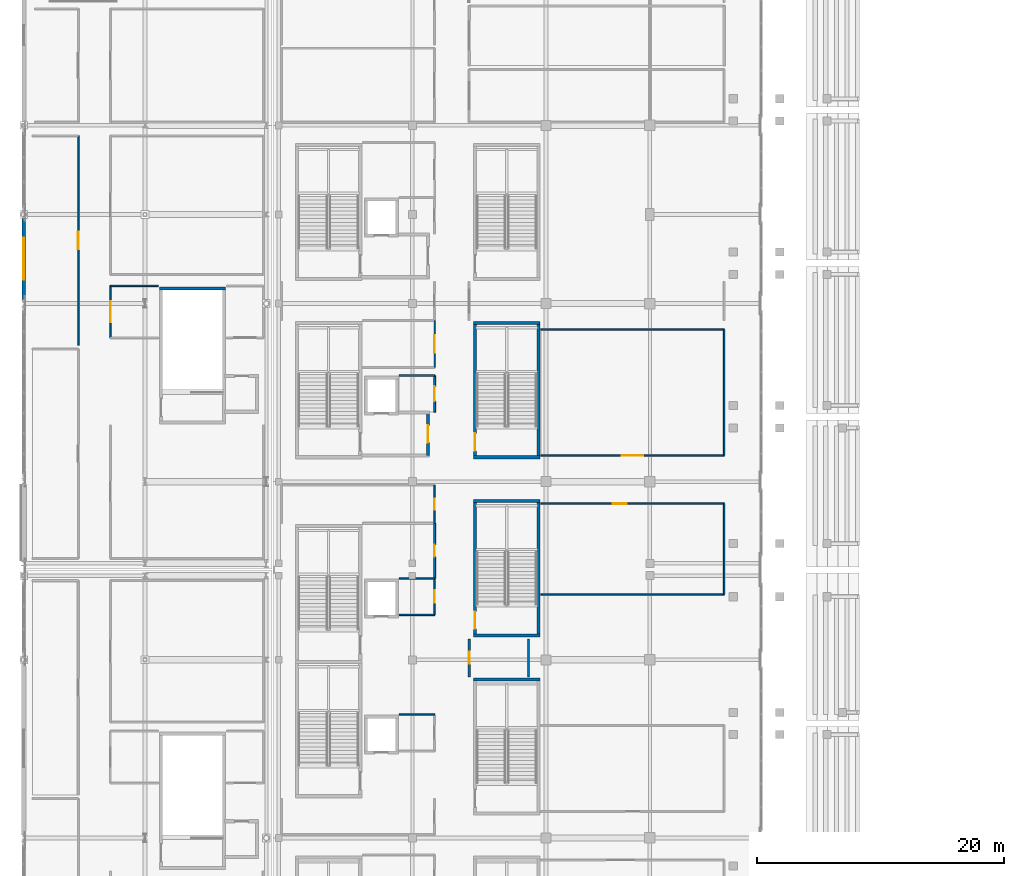
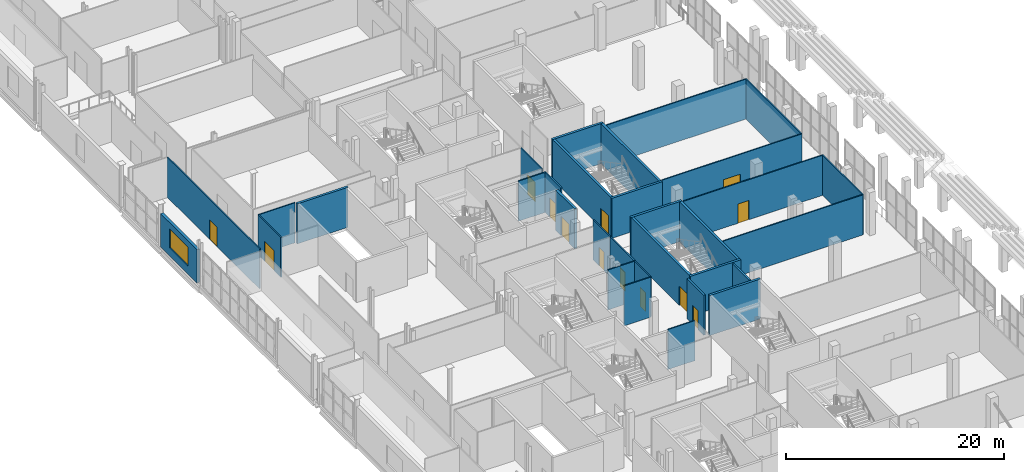
# One storey, part 93 of 142: 32 walls, 13 doors, 1 window, 14 openings.
"""IFC4 building model written with IfcOpenShell, lengths in metres."""

from ifc_helpers import new_model, si_unit, direction, frame, frame_2d, origin, place, context, subcontext, project, spatial, rectangle, extrude, material, layer, layer_set, type_object, element, fill, save


model = new_model("IFC4")

# Units and contexts
model_context = context("Model", 3, precision=1e-05, world=origin(), true_north=direction((0.0, 1.0)))
body_context = subcontext(model_context, "Body", "Model", "MODEL_VIEW")
ifc_project = project(units=[si_unit("LENGTHUNIT", "METRE"), si_unit("AREAUNIT", "SQUARE_METRE"), si_unit("VOLUMEUNIT", "CUBIC_METRE"), si_unit("PLANEANGLEUNIT", "RADIAN"), si_unit("MASSUNIT", "GRAM", prefix="KILO")], contexts=[model_context])

# Site, building, storey
site_placement = place(None, origin())
site = spatial("IfcSite", under=ifc_project, at=site_placement, CompositionType="ELEMENT")
building_placement = place(site_placement, origin())
building = spatial("IfcBuilding", under=site, at=building_placement, Name="Koshinbarg Plaza Stadium", CompositionType="ELEMENT")
storey_placement = place(building_placement, frame((0.0, 0.0, 10.199951171875)))
storey = spatial("IfcBuildingStorey", under=building, at=storey_placement, Name="L02", CompositionType="ELEMENT", Elevation=10.199951171875)

# Walls
ifc_material_1 = material(Name="Concrete C40/50", Category="concrete")
ifc_layer_1 = layer(ifc_material_1, 0.25)
ifc_layer_set_1 = layer_set([ifc_layer_1], Name="Concrete C40/50")
wall_type_1 = type_object("IfcWallType", Name="WL-CORE-250", PredefinedType="SHEAR", material=ifc_layer_set_1)
wall_1_placement = place(storey_placement, frame((20.320068359375, 98.72509765625, 0.0), z_axis=(0.0, 0.0, 1.0), x_axis=(-1.0, 0.0, 0.0)))
element("IfcWall", 1, at=wall_1_placement, inside=storey, type_object=wall_type_1, Name="L02 core stair shear wall C15-far IWL-L02-0339", PredefinedType="SHEAR", context=body_context, shape_type="SweptSolid", body=[
    extrude(rectangle(XDim=5.3701171875, YDim=0.25, at=frame_2d((2.68505859375, 0.0))), origin(), (0.0, 0.0, 1.0), 4.47998046875),
])
for number, where, z_axis, x_axis, name in (
    (2, (45.719970703125, 67.125, 0.0), (0.0, 0.0, 1.0), (-1.0, 0.0, 0.0), "L02 vomitory stair shear wall VX03-far IWL-L02-0395"),
    (3, (40.35009765625, 70.675048828125, 0.0), (0.0, 0.0, 1.0), (1.0, 0.0, 0.0), "L02 vomitory stair shear wall VX04-near IWL-L02-0410"),
    (4, (45.719970703125, 81.52490234375, 0.0), (0.0, 0.0, 1.0), (-1.0, 0.0, 0.0), "L02 vomitory stair shear wall VX04-far IWL-L02-0411"),
):
    element("IfcWall", number, at=place(storey_placement, frame(where, z_axis=z_axis, x_axis=x_axis)), inside=storey, type_object=wall_type_1, Name=name, PredefinedType="SHEAR", context=body_context, shape_type="SweptSolid", body=[
        extrude(rectangle(XDim=5.369873046875, YDim=0.25, at=frame_2d((2.68505859375, 0.0))), origin(), (0.0, 0.0, 1.0), 4.47998046875),
    ])

# Wall, opening, door
wall_2_placement = place(storey_placement, frame((40.47509765625, 70.675048828125, 0.0), z_axis=(0.0, 0.0, 1.0), x_axis=(0.0, 1.0, 0.0)))
wall_2 = element("IfcWall", 5, at=wall_2_placement, inside=storey, type_object=wall_type_1, Name="L02 vomitory stair shear wall VX04-left IWL-L02-0412", PredefinedType="SHEAR", context=body_context, shape_type="SweptSolid", body=[
    extrude(rectangle(XDim=10.849853515625, YDim=0.25, at=frame_2d((5.4248046875, 0.0))), origin(), (0.0, 0.0, 1.0), 4.47998046875),
])
opening_1_placement = place(wall_2_placement, frame((0.52001953125, 0.0, 0.0)))
opening_1 = element("IfcOpeningElement", 6, at=opening_1_placement, cuts=wall_2, Name="Opening D-0165", PredefinedType="OPENING", context=body_context, shape_type="SweptSolid", body=[
    extrude(rectangle(XDim=1.39990234375, YDim=2.14990234375, at=frame_2d((0.699951171875, 1.074951171875))), frame((0.0, 0.135009765625, 0.0), z_axis=(0.0, -1.0, 0.0), x_axis=(1.0, 0.0, 0.0)), (0.0, 0.0, 1.0), 0.27001953125),
])
ifc_material_2 = material(Name="Painted galvanized steel fire door", Category="steel")
door_type_1 = type_object("IfcDoorType", Name="DR-STAIR-1400", OperationType="NOTDEFINED", PredefinedType="DOOR", material=ifc_material_2)
door_1_placement = place(opening_1_placement, frame((1.39990234375, 0.0, 0.0), z_axis=(0.0, 0.0, 1.0), x_axis=(-1.0, 0.0, 0.0)))
door_1 = element("IfcDoor", 7, at=door_1_placement, inside=storey, type_object=door_type_1, Name="L02 vomitory exit stair door VX04", OperationType="SINGLE_SWING_LEFT", OverallHeight=2.14990234375, OverallWidth=1.39990234375, PredefinedType="DOOR", context=body_context, shape_type="SweptSolid", body=[
    extrude(rectangle(XDim=1.39990234375, YDim=2.14990234375, at=frame_2d((0.699951171875, 1.074951171875))), frame((0.0, 0.02490234375, 0.0), z_axis=(0.0, -1.0, 0.0), x_axis=(1.0, 0.0, 0.0)), (0.0, 0.0, 1.0), 0.050048828125),
])
fill(opening_1, door_1)

# Walls
wall_3_placement = place(storey_placement, frame((45.594970703125, 70.675048828125, 0.0), z_axis=(0.0, 0.0, 1.0), x_axis=(0.0, 1.0, 0.0)))
element("IfcWall", 8, at=wall_3_placement, inside=storey, type_object=wall_type_1, Name="L02 vomitory stair shear wall VX04-right IWL-L02-0413", PredefinedType="SHEAR", context=body_context, shape_type="SweptSolid", body=[
    extrude(rectangle(XDim=10.849853515625, YDim=0.25, at=frame_2d((5.4248046875, 0.0))), origin(), (0.0, 0.0, 1.0), 4.47998046875),
])
for number, where, z_axis, x_axis, name in (
    (9, (40.35009765625, 85.074951171875, 0.0), (0.0, 0.0, 1.0), (1.0, 0.0, 0.0), "L02 vomitory stair shear wall VX05-near IWL-L02-0426"),
    (10, (45.719970703125, 95.925048828125, 0.0), (0.0, 0.0, 1.0), (-1.0, 0.0, 0.0), "L02 vomitory stair shear wall VX05-far IWL-L02-0427"),
):
    element("IfcWall", number, at=place(storey_placement, frame(where, z_axis=z_axis, x_axis=x_axis)), inside=storey, type_object=wall_type_1, Name=name, PredefinedType="SHEAR", context=body_context, shape_type="SweptSolid", body=[
        extrude(rectangle(XDim=5.369873046875, YDim=0.25, at=frame_2d((2.68505859375, 0.0))), origin(), (0.0, 0.0, 1.0), 4.47998046875),
    ])

# Wall, opening, door
wall_4_placement = place(storey_placement, frame((40.47509765625, 85.074951171875, 0.0), z_axis=(0.0, 0.0, 1.0), x_axis=(0.0, 1.0, 0.0)))
wall_4 = element("IfcWall", 11, at=wall_4_placement, inside=storey, type_object=wall_type_1, Name="L02 vomitory stair shear wall VX05-left IWL-L02-0428", PredefinedType="SHEAR", context=body_context, shape_type="SweptSolid", body=[
    extrude(rectangle(XDim=10.85009765625, YDim=0.25, at=frame_2d((5.425048828125, 0.0))), origin(), (0.0, 0.0, 1.0), 4.47998046875),
])
opening_2_placement = place(wall_4_placement, frame((0.52001953125, 0.0, 0.0)))
opening_2 = element("IfcOpeningElement", 12, at=opening_2_placement, cuts=wall_4, Name="Opening D-0169", PredefinedType="OPENING", context=body_context, shape_type="SweptSolid", body=[
    extrude(rectangle(XDim=1.39990234375, YDim=2.14990234375, at=frame_2d((0.699951171875, 1.074951171875))), frame((0.0, 0.135009765625, 0.0), z_axis=(0.0, -1.0, 0.0), x_axis=(1.0, 0.0, 0.0)), (0.0, 0.0, 1.0), 0.27001953125),
])
door_2_placement = place(opening_2_placement, frame((1.39990234375, 0.0, 0.0), z_axis=(0.0, 0.0, 1.0), x_axis=(-1.0, 0.0, 0.0)))
door_2 = element("IfcDoor", 13, at=door_2_placement, inside=storey, type_object=door_type_1, Name="L02 vomitory exit stair door VX05", OperationType="SINGLE_SWING_RIGHT", OverallHeight=2.14990234375, OverallWidth=1.39990234375, PredefinedType="DOOR", context=body_context, shape_type="SweptSolid", body=[
    extrude(rectangle(XDim=1.39990234375, YDim=2.14990234375, at=frame_2d((0.699951171875, 1.074951171875))), frame((0.0, 0.02490234375, 0.0), z_axis=(0.0, -1.0, 0.0), x_axis=(1.0, 0.0, 0.0)), (0.0, 0.0, 1.0), 0.050048828125),
])
fill(opening_2, door_2)

# Wall
wall_5_placement = place(storey_placement, frame((45.594970703125, 85.074951171875, 0.0), z_axis=(0.0, 0.0, 1.0), x_axis=(0.0, 1.0, 0.0)))
element("IfcWall", 14, at=wall_5_placement, inside=storey, type_object=wall_type_1, Name="L02 vomitory stair shear wall VX05-right IWL-L02-0429", PredefinedType="SHEAR", context=body_context, shape_type="SweptSolid", body=[
    extrude(rectangle(XDim=10.85009765625, YDim=0.25, at=frame_2d((5.425048828125, 0.0))), origin(), (0.0, 0.0, 1.0), 4.47998046875),
])

# Wall, opening, door
wall_6_placement = place(storey_placement, frame((36.675048828125, 85.22509765625, 0.0), z_axis=(0.0, 0.0, 1.0), x_axis=(0.0, 1.0, 0.0)))
wall_6 = element("IfcWall", 15, at=wall_6_placement, inside=storey, type_object=wall_type_1, Name="L02 firefighting lobby wall C05-E IWL-L02-0782", PredefinedType="SHEAR", context=body_context, shape_type="SweptSolid", body=[
    extrude(rectangle(XDim=3.449951171875, YDim=0.25, at=frame_2d((1.72509765625, 0.0))), origin(), (0.0, 0.0, 1.0), 4.47998046875),
])
opening_3_placement = place(wall_6_placement, frame((1.02490234375, 0.0, 0.0)))
opening_3 = element("IfcOpeningElement", 16, at=opening_3_placement, cuts=wall_6, Name="Opening D-0262", PredefinedType="OPENING", context=body_context, shape_type="SweptSolid", body=[
    extrude(rectangle(XDim=1.39990234375, YDim=2.14990234375, at=frame_2d((0.699951171875, 1.074951171875))), frame((0.0, 0.135009765625, 0.0), z_axis=(0.0, -1.0, 0.0), x_axis=(1.0, 0.0, 0.0)), (0.0, 0.0, 1.0), 0.27001953125),
])
ifc_material_3 = material(Name="Smoke-sealed steel firefighting lobby door", Category="steel")
door_type_2 = type_object("IfcDoorType", Name="DR-FFLOB-1400", OperationType="NOTDEFINED", PredefinedType="DOOR", material=ifc_material_3)
door_3_placement = place(opening_3_placement, origin())
door_3 = element("IfcDoor", 17, at=door_3_placement, inside=storey, type_object=door_type_2, Name="L02 firefighting lobby fire door C05", OperationType="DOUBLE_DOOR_SINGLE_SWING", OverallHeight=2.14990234375, OverallWidth=1.39990234375, PredefinedType="DOOR", context=body_context, shape_type="SweptSolid", body=[
    extrude(rectangle(XDim=1.39990234375, YDim=2.14990234375, at=frame_2d((0.699951171875, 1.074951171875))), frame((0.0, 0.02490234375, 0.0), z_axis=(0.0, -1.0, 0.0), x_axis=(1.0, 0.0, 0.0)), (0.0, 0.0, 1.0), 0.050048828125),
])
fill(opening_3, door_3)

# Wall, opening, window
ifc_material_4 = material(Name="Off-white mineral plaster insulated wall", Category="masonry")
ifc_layer_2 = layer(ifc_material_4, 0.300048828125)
ifc_layer_set_2 = layer_set([ifc_layer_2], Name="Off-white mineral plaster insulated wall")
wall_type_2 = type_object("IfcWallType", Name="WL-EXT-300", PredefinedType="SOLIDWALL", material=ifc_layer_set_2)
wall_7_placement = place(storey_placement, frame((4.0, 97.794921875, 0.0), z_axis=(0.0, 0.0, 1.0), x_axis=(0.0, 1.0, 0.0)))
wall_7 = element("IfcWall", 18, at=wall_7_placement, inside=storey, type_object=wall_type_2, Name="L02 exterior envelope wall EWL-L02-0113", PredefinedType="SOLIDWALL", context=body_context, shape_type="SweptSolid", body=[
    extrude(rectangle(XDim=6.681640625, YDim=0.300048828125, at=frame_2d((3.3408203125, 0.0))), origin(), (0.0, 0.0, 1.0), 3.719970703125),
])
opening_4_placement = place(wall_7_placement, frame((1.640625, 0.0, 0.89990234375)))
opening_4 = element("IfcOpeningElement", 19, at=opening_4_placement, cuts=wall_7, Name="Opening WN18", PredefinedType="OPENING", context=body_context, shape_type="SweptSolid", body=[
    extrude(rectangle(XDim=3.39990234375, YDim=2.10009765625, at=frame_2d((1.699951171875, 1.050048828125))), frame((0.0, 0.159912109375, 0.0), z_axis=(0.0, -1.0, 0.0), x_axis=(1.0, 0.0, 0.0)), (0.0, 0.0, 1.0), 0.320068359375),
])
ifc_material_5 = material(Name="Solar-control double glazing in thermally broken aluminium frame", Category="aluminium")
window_type = type_object("IfcWindowType", Name="WN-FAC-18", PartitioningType="DOUBLE_PANEL_VERTICAL", PredefinedType="WINDOW", material=ifc_material_5)
window_placement = place(opening_4_placement, origin())
window = element("IfcWindow", 20, at=window_placement, inside=storey, type_object=window_type, Name="L02 facade window 0051", OverallHeight=2.10009765625, OverallWidth=3.39990234375, PartitioningType="SINGLE_PANEL", PredefinedType="WINDOW", context=body_context, shape_type="SweptSolid", body=[
    extrude(rectangle(XDim=3.39990234375, YDim=2.10009765625, at=frame_2d((1.699951171875, 1.050048828125))), frame((0.0, 0.030029296875, 0.0), z_axis=(0.0, -1.0, 0.0), x_axis=(1.0, 0.0, 0.0)), (0.0, 0.0, 1.0), 0.06005859375),
])
fill(opening_4, window)

# Wall
ifc_material_6 = material(Name="Gypsum board metal-stud acoustic partition")
ifc_layer_3 = layer(ifc_material_6, 0.1201171875)
ifc_layer_set_3 = layer_set([ifc_layer_3], Name="Gypsum board metal-stud acoustic partition")
wall_type_3 = type_object("IfcWallType", Name="WL-PART-120", PredefinedType="PARTITIONING", material=ifc_layer_set_3)
wall_8_placement = place(storey_placement, frame((37.199951171875, 64.280029296875, 0.0), z_axis=(0.0, 0.0, 1.0), x_axis=(-1.0, 0.0, 0.0)))
element("IfcWall", 21, at=wall_8_placement, inside=storey, type_object=wall_type_3, Name="L02 interior partition L02-67-north IWL-L02-1645", PredefinedType="PARTITIONING", context=body_context, shape_type="SweptSolid", body=[
    extrude(rectangle(XDim=2.869873046875, YDim=0.1201171875, at=frame_2d((1.43505859375, 0.0))), origin(), (0.0, 0.0, 1.0), 4.47998046875),
])

# Wall, opening, door
wall_9_placement = place(storey_placement, frame((37.199951171875, 79.72998046875, 0.0), z_axis=(0.0, 0.0, 1.0), x_axis=(0.0, 1.0, 0.0)))
wall_9 = element("IfcWall", 22, at=wall_9_placement, inside=storey, type_object=wall_type_3, Name="L02 interior partition L02-68-east IWL-L02-1646", PredefinedType="PARTITIONING", context=body_context, shape_type="SweptSolid", body=[
    extrude(rectangle(XDim=3.10009765625, YDim=0.1201171875, at=frame_2d((1.550048828125, 0.0))), origin(), (0.0, 0.0, 1.0), 4.47998046875),
])
opening_5_placement = place(wall_9_placement, frame((1.090087890625, 0.0, 0.0)))
opening_5 = element("IfcOpeningElement", 23, at=opening_5_placement, cuts=wall_9, Name="Opening D-0555", PredefinedType="OPENING", context=body_context, shape_type="SweptSolid", body=[
    extrude(rectangle(XDim=0.919921875, YDim=2.10009765625, at=frame_2d((0.4599609375, 1.050048828125))), frame((0.0, 0.070068359375, 0.0), z_axis=(0.0, -1.0, 0.0), x_axis=(1.0, 0.0, 0.0)), (0.0, 0.0, 1.0), 0.14013671875),
])
ifc_material_7 = material(Name="Solid-core oak veneer acoustic door")
door_type_3 = type_object("IfcDoorType", Name="DR-INT-0920x2100", OperationType="NOTDEFINED", PredefinedType="DOOR", material=ifc_material_7)
door_4_placement = place(opening_5_placement, origin())
door_4 = element("IfcDoor", 24, at=door_4_placement, inside=storey, type_object=door_type_3, Name="L02 Hospitality Catering Kitchen door D-0555", OperationType="SINGLE_SWING_LEFT", OverallHeight=2.10009765625, OverallWidth=0.919921875, PredefinedType="DOOR", context=body_context, shape_type="SweptSolid", body=[
    extrude(rectangle(XDim=0.919921875, YDim=2.10009765625, at=frame_2d((0.4599609375, 1.050048828125))), frame((0.0, 0.02490234375, 0.0), z_axis=(0.0, -1.0, 0.0), x_axis=(1.0, 0.0, 0.0)), (0.0, 0.0, 1.0), 0.050048828125),
])
fill(opening_5, door_4)

# Wall
wall_10_placement = place(storey_placement, frame((34.330078125, 72.330078125, 0.0), z_axis=(0.0, 0.0, 1.0), x_axis=(1.0, 0.0, 0.0)))
element("IfcWall", 25, at=wall_10_placement, inside=storey, type_object=wall_type_3, Name="L02 interior partition L02-70-south IWL-L02-1651", PredefinedType="PARTITIONING", context=body_context, shape_type="SweptSolid", body=[
    extrude(rectangle(XDim=2.869873046875, YDim=0.1201171875, at=frame_2d((1.43505859375, 0.0))), origin(), (0.0, 0.0, 1.0), 4.47998046875),
])

# Wall, opening, door
wall_11_placement = place(storey_placement, frame((37.199951171875, 72.330078125, 0.0), z_axis=(0.0, 0.0, 1.0), x_axis=(0.0, 1.0, 0.0)))
wall_11 = element("IfcWall", 26, at=wall_11_placement, inside=storey, type_object=wall_type_3, Name="L02 interior partition L02-70-east IWL-L02-1652", PredefinedType="PARTITIONING", context=body_context, shape_type="SweptSolid", body=[
    extrude(rectangle(XDim=2.949951171875, YDim=0.1201171875, at=frame_2d((1.47509765625, 0.0))), origin(), (0.0, 0.0, 1.0), 4.47998046875),
])
opening_6_placement = place(wall_11_placement, frame((0.97509765625, 0.0, 0.0)))
opening_6 = element("IfcOpeningElement", 27, at=opening_6_placement, cuts=wall_11, Name="Opening D-0557", PredefinedType="OPENING", context=body_context, shape_type="SweptSolid", body=[
    extrude(rectangle(XDim=1.0, YDim=2.10009765625, at=frame_2d((0.5, 1.050048828125))), frame((0.0, 0.070068359375, 0.0), z_axis=(0.0, -1.0, 0.0), x_axis=(1.0, 0.0, 0.0)), (0.0, 0.0, 1.0), 0.14013671875),
])
ifc_material_8 = material(Name="Solid-core laminate accessible WC door")
door_type_4 = type_object("IfcDoorType", Name="DR-INT-1000x2100", OperationType="NOTDEFINED", PredefinedType="DOOR", material=ifc_material_8)
door_5_placement = place(opening_6_placement, origin())
door_5 = element("IfcDoor", 28, at=door_5_placement, inside=storey, type_object=door_type_4, Name="L02 Presidential Club Lounge door D-0557", OperationType="SINGLE_SWING_LEFT", OverallHeight=2.10009765625, OverallWidth=1.0, PredefinedType="DOOR", context=body_context, shape_type="SweptSolid", body=[
    extrude(rectangle(XDim=1.0, YDim=2.10009765625, at=frame_2d((0.5, 1.050048828125))), frame((0.0, 0.02490234375, 0.0), z_axis=(0.0, -1.0, 0.0), x_axis=(1.0, 0.0, 0.0)), (0.0, 0.0, 1.0), 0.050048828125),
])
fill(opening_6, door_5)

# Walls
wall_12_placement = place(storey_placement, frame((37.199951171875, 75.280029296875, 0.0), z_axis=(0.0, 0.0, 1.0), x_axis=(-1.0, 0.0, 0.0)))
element("IfcWall", 29, at=wall_12_placement, inside=storey, type_object=wall_type_3, Name="L02 interior partition L02-70-north IWL-L02-1653", PredefinedType="PARTITIONING", context=body_context, shape_type="SweptSolid", body=[
    extrude(rectangle(XDim=2.869873046875, YDim=0.1201171875, at=frame_2d((1.43505859375, 0.0))), origin(), (0.0, 0.0, 1.0), 4.47998046875),
])
wall_13_placement = place(storey_placement, frame((45.800048828125, 73.99072265625, 0.0), z_axis=(0.0, 0.0, 1.0), x_axis=(1.0, 0.0, 0.0)))
element("IfcWall", 30, at=wall_13_placement, inside=storey, type_object=wall_type_3, Name="L02 interior partition L02-72-south IWL-L02-1657", PredefinedType="PARTITIONING", context=body_context, shape_type="SweptSolid", body=[
    extrude(rectangle(XDim=14.800048828125, YDim=0.1201171875, at=frame_2d((7.39990234375, 0.0))), origin(), (0.0, 0.0, 1.0), 4.47998046875),
])
wall_14_placement = place(storey_placement, frame((60.60009765625, 73.99072265625, 0.0), z_axis=(0.0, 0.0, 1.0), x_axis=(0.0, 1.0, 0.0)))
element("IfcWall", 31, at=wall_14_placement, inside=storey, type_object=wall_type_3, Name="L02 interior partition L02-72-east IWL-L02-1658", PredefinedType="PARTITIONING", context=body_context, shape_type="SweptSolid", body=[
    extrude(rectangle(XDim=7.329345703125, YDim=0.1201171875, at=frame_2d((3.66455078125, 0.0))), origin(), (0.0, 0.0, 1.0), 4.47998046875),
])

# Wall, opening, door
wall_15_placement = place(storey_placement, frame((60.60009765625, 81.320068359375, 0.0), z_axis=(0.0, 0.0, 1.0), x_axis=(-1.0, 0.0, 0.0)))
wall_15 = element("IfcWall", 32, at=wall_15_placement, inside=storey, type_object=wall_type_3, Name="L02 interior partition L02-72-north IWL-L02-1659", PredefinedType="PARTITIONING", context=body_context, shape_type="SweptSolid", body=[
    extrude(rectangle(XDim=14.800048828125, YDim=0.1201171875, at=frame_2d((7.39990234375, 0.0))), origin(), (0.0, 0.0, 1.0), 4.47998046875),
])
opening_7_placement = place(wall_15_placement, frame((7.87841796875, 0.0, 0.0)))
opening_7 = element("IfcOpeningElement", 33, at=opening_7_placement, cuts=wall_15, Name="Opening D-0559", PredefinedType="OPENING", context=body_context, shape_type="SweptSolid", body=[
    extrude(rectangle(XDim=1.1201171875, YDim=2.14990234375, at=frame_2d((0.56005859375, 1.074951171875))), frame((0.0, 0.070068359375, 0.0), z_axis=(0.0, -1.0, 0.0), x_axis=(1.0, 0.0, 0.0)), (0.0, 0.0, 1.0), 0.14013671875),
])
ifc_material_9 = material(Name="Acoustic timber broadcast studio door", Category="wood")
door_type_5 = type_object("IfcDoorType", Name="DR-INT-1120x2150", OperationType="NOTDEFINED", PredefinedType="DOOR", material=ifc_material_9)
door_6_placement = place(opening_7_placement, origin())
door_6 = element("IfcDoor", 34, at=door_6_placement, inside=storey, type_object=door_type_5, Name="L02 Presidential Club Lounge door D-0559", OperationType="SINGLE_SWING_LEFT", OverallHeight=2.14990234375, OverallWidth=1.1201171875, PredefinedType="DOOR", context=body_context, shape_type="SweptSolid", body=[
    extrude(rectangle(XDim=1.1201171875, YDim=2.14990234375, at=frame_2d((0.56005859375, 1.074951171875))), frame((0.0, 0.02490234375, 0.0), z_axis=(0.0, -1.0, 0.0), x_axis=(1.0, 0.0, 0.0)), (0.0, 0.0, 1.0), 0.050048828125),
])
fill(opening_7, door_6)

wall_16_placement = place(storey_placement, frame((37.199951171875, 92.323486328125, 0.0), z_axis=(0.0, 0.0, 1.0), x_axis=(0.0, 1.0, 0.0)))
wall_16 = element("IfcWall", 35, at=wall_16_placement, inside=storey, type_object=wall_type_3, Name="L02 interior partition L02-75-east IWL-L02-1665", PredefinedType="PARTITIONING", context=body_context, shape_type="SweptSolid", body=[
    extrude(rectangle(XDim=3.806396484375, YDim=0.1201171875, at=frame_2d((1.9033203125, 0.0))), origin(), (0.0, 0.0, 1.0), 4.47998046875),
])
opening_8_placement = place(wall_16_placement, frame((1.203125, 0.0, 0.0)))
opening_8 = element("IfcOpeningElement", 36, at=opening_8_placement, cuts=wall_16, Name="Opening D-0562", PredefinedType="OPENING", context=body_context, shape_type="SweptSolid", body=[
    extrude(rectangle(XDim=1.39990234375, YDim=2.199951171875, at=frame_2d((0.699951171875, 1.10009765625))), frame((0.0, 0.070068359375, 0.0), z_axis=(0.0, -1.0, 0.0), x_axis=(1.0, 0.0, 0.0)), (0.0, 0.0, 1.0), 0.14013671875),
])
ifc_material_10 = material(Name="Stainless-clad solid-core timber double fire door", Category="wood")
door_type_6 = type_object("IfcDoorType", Name="DR-INT-1400x2200", OperationType="NOTDEFINED", PredefinedType="DOOR", material=ifc_material_10)
door_7_placement = place(opening_8_placement, origin())
door_7 = element("IfcDoor", 37, at=door_7_placement, inside=storey, type_object=door_type_6, Name="L02 West Club Concourse door D-0562", OperationType="DOUBLE_DOOR_SINGLE_SWING", OverallHeight=2.199951171875, OverallWidth=1.39990234375, PredefinedType="DOOR", context=body_context, shape_type="SweptSolid", body=[
    extrude(rectangle(XDim=1.39990234375, YDim=2.199951171875, at=frame_2d((0.699951171875, 1.10009765625))), frame((0.0, 0.02490234375, 0.0), z_axis=(0.0, -1.0, 0.0), x_axis=(1.0, 0.0, 0.0)), (0.0, 0.0, 1.0), 0.050048828125),
])
fill(opening_8, door_7)

wall_17_placement = place(storey_placement, frame((45.800048828125, 85.22998046875, 0.0), z_axis=(0.0, 0.0, 1.0), x_axis=(1.0, 0.0, 0.0)))
wall_17 = element("IfcWall", 38, at=wall_17_placement, inside=storey, type_object=wall_type_3, Name="L02 interior partition L02-78-south IWL-L02-1671", PredefinedType="PARTITIONING", context=body_context, shape_type="SweptSolid", body=[
    extrude(rectangle(XDim=14.800048828125, YDim=0.1201171875, at=frame_2d((7.39990234375, 0.0))), origin(), (0.0, 0.0, 1.0), 4.47998046875),
])
opening_9_placement = place(wall_17_placement, frame((6.52001953125, 0.0, 0.0)))
opening_9 = element("IfcOpeningElement", 39, at=opening_9_placement, cuts=wall_17, Name="Opening D-0565", PredefinedType="OPENING", context=body_context, shape_type="SweptSolid", body=[
    extrude(rectangle(XDim=1.760009765625, YDim=2.25, at=frame_2d((0.8798828125, 1.125))), frame((0.0, 0.070068359375, 0.0), z_axis=(0.0, -1.0, 0.0), x_axis=(1.0, 0.0, 0.0)), (0.0, 0.0, 1.0), 0.14013671875),
])
ifc_material_11 = material(Name="Solid-core oak veneer double swing door")
door_type_7 = type_object("IfcDoorType", Name="DR-INT-1760x2250", OperationType="NOTDEFINED", PredefinedType="DOOR", material=ifc_material_11)
door_8_placement = place(opening_9_placement, origin())
door_8 = element("IfcDoor", 40, at=door_8_placement, inside=storey, type_object=door_type_7, Name="L02 Presidential Club Lounge door D-0565", OperationType="DOUBLE_DOOR_SINGLE_SWING", OverallHeight=2.25, OverallWidth=1.760009765625, PredefinedType="DOOR", context=body_context, shape_type="SweptSolid", body=[
    extrude(rectangle(XDim=1.760009765625, YDim=2.25, at=frame_2d((0.8798828125, 1.125))), frame((0.0, 0.02490234375, 0.0), z_axis=(0.0, -1.0, 0.0), x_axis=(1.0, 0.0, 0.0)), (0.0, 0.0, 1.0), 0.050048828125),
])
fill(opening_9, door_8)

# Walls
wall_18_placement = place(storey_placement, frame((60.60009765625, 85.22998046875, 0.0), z_axis=(0.0, 0.0, 1.0), x_axis=(0.0, 1.0, 0.0)))
element("IfcWall", 41, at=wall_18_placement, inside=storey, type_object=wall_type_3, Name="L02 interior partition L02-78-east IWL-L02-1672", PredefinedType="PARTITIONING", context=body_context, shape_type="SweptSolid", body=[
    extrude(rectangle(XDim=10.151123046875, YDim=0.1201171875, at=frame_2d((5.07568359375, 0.0))), origin(), (0.0, 0.0, 1.0), 4.47998046875),
])
wall_19_placement = place(storey_placement, frame((60.60009765625, 95.381103515625, 0.0), z_axis=(0.0, 0.0, 1.0), x_axis=(-1.0, 0.0, 0.0)))
element("IfcWall", 42, at=wall_19_placement, inside=storey, type_object=wall_type_3, Name="L02 interior partition L02-78-north IWL-L02-1673", PredefinedType="PARTITIONING", context=body_context, shape_type="SweptSolid", body=[
    extrude(rectangle(XDim=14.800048828125, YDim=0.1201171875, at=frame_2d((7.39990234375, 0.0))), origin(), (0.0, 0.0, 1.0), 4.47998046875),
])

# Wall, opening, door
wall_20_placement = place(storey_placement, frame((8.39990234375, 94.12255859375, 0.0), z_axis=(0.0, 0.0, 1.0), x_axis=(0.0, 1.0, 0.0)))
wall_20 = element("IfcWall", 43, at=wall_20_placement, inside=storey, type_object=wall_type_3, Name="L02 interior partition L02-143-east IWL-L02-1852", PredefinedType="PARTITIONING", context=body_context, shape_type="SweptSolid", body=[
    extrude(rectangle(XDim=16.927490234375, YDim=0.1201171875, at=frame_2d((8.4638671875, 0.0))), origin(), (0.0, 0.0, 1.0), 4.47998046875),
])
opening_10_placement = place(wall_20_placement, frame((7.763671875, 0.0, 0.0)))
opening_10 = element("IfcOpeningElement", 44, at=opening_10_placement, cuts=wall_20, Name="Opening D-0630", PredefinedType="OPENING", context=body_context, shape_type="SweptSolid", body=[
    extrude(rectangle(XDim=1.39990234375, YDim=2.199951171875, at=frame_2d((0.699951171875, 1.10009765625))), frame((0.0, 0.070068359375, 0.0), z_axis=(0.0, -1.0, 0.0), x_axis=(1.0, 0.0, 0.0)), (0.0, 0.0, 1.0), 0.14013671875),
])
door_9_placement = place(opening_10_placement, origin())
door_9 = element("IfcDoor", 45, at=door_9_placement, inside=storey, type_object=door_type_6, Name="L02 Community Club Salon door D-0630", OperationType="DOUBLE_DOOR_SINGLE_SWING", OverallHeight=2.199951171875, OverallWidth=1.39990234375, PredefinedType="DOOR", context=body_context, shape_type="SweptSolid", body=[
    extrude(rectangle(XDim=1.39990234375, YDim=2.199951171875, at=frame_2d((0.699951171875, 1.10009765625))), frame((0.0, 0.02490234375, 0.0), z_axis=(0.0, -1.0, 0.0), x_axis=(1.0, 0.0, 0.0)), (0.0, 0.0, 1.0), 0.050048828125),
])
fill(opening_10, door_9)

# Wall
wall_21_placement = place(storey_placement, frame((14.8701171875, 98.929931640625, 0.0), z_axis=(0.0, 0.0, 1.0), x_axis=(-1.0, 0.0, 0.0)))
element("IfcWall", 46, at=wall_21_placement, inside=storey, type_object=wall_type_3, Name="L02 interior partition L02-145-north IWL-L02-1858", PredefinedType="PARTITIONING", context=body_context, shape_type="SweptSolid", body=[
    extrude(rectangle(XDim=3.8701171875, YDim=0.1201171875, at=frame_2d((1.93505859375, 0.0))), origin(), (0.0, 0.0, 1.0), 4.47998046875),
])

# Wall, opening, door
wall_22_placement = place(storey_placement, frame((11.0, 98.929931640625, 0.0), z_axis=(0.0, 0.0, 1.0), x_axis=(0.0, -1.0, 0.0)))
wall_22 = element("IfcWall", 47, at=wall_22_placement, inside=storey, type_object=wall_type_3, Name="L02 interior partition L02-145-west IWL-L02-1859", PredefinedType="PARTITIONING", context=body_context, shape_type="SweptSolid", body=[
    extrude(rectangle(XDim=4.199951171875, YDim=0.1201171875, at=frame_2d((2.10009765625, 0.0))), origin(), (0.0, 0.0, 1.0), 4.47998046875),
])
opening_11_placement = place(wall_22_placement, frame((1.260009765625, 0.0, 0.0)))
opening_11 = element("IfcOpeningElement", 48, at=opening_11_placement, cuts=wall_22, Name="Opening D-0632", PredefinedType="OPENING", context=body_context, shape_type="SweptSolid", body=[
    extrude(rectangle(XDim=1.679931640625, YDim=2.25, at=frame_2d((0.83984375, 1.125))), frame((0.0, 0.070068359375, 0.0), z_axis=(0.0, -1.0, 0.0), x_axis=(1.0, 0.0, 0.0)), (0.0, 0.0, 1.0), 0.14013671875),
])
ifc_material_12 = material(Name="Powder-coated aluminium double glazed door", Category="aluminium")
door_type_8 = type_object("IfcDoorType", Name="DR-INT-1680x2250", OperationType="NOTDEFINED", PredefinedType="DOOR", material=ifc_material_12)
door_10_placement = place(opening_11_placement, origin())
door_10 = element("IfcDoor", 49, at=door_10_placement, inside=storey, type_object=door_type_8, Name="L02 Northwest Exhibition Hall door D-0632", OperationType="DOUBLE_DOOR_SINGLE_SWING", OverallHeight=2.25, OverallWidth=1.679931640625, PredefinedType="DOOR", context=body_context, shape_type="SweptSolid", body=[
    extrude(rectangle(XDim=1.679931640625, YDim=2.25, at=frame_2d((0.83984375, 1.125))), frame((0.0, 0.02490234375, 0.0), z_axis=(0.0, -1.0, 0.0), x_axis=(1.0, 0.0, 0.0)), (0.0, 0.0, 1.0), 0.050048828125),
])
fill(opening_11, door_10)

ifc_material_13 = material(Name="Double-layer gypsum acoustic suite partition")
ifc_layer_4 = layer(ifc_material_13, 0.14990234375)
ifc_layer_set_4 = layer_set([ifc_layer_4], Name="Double-layer gypsum acoustic suite partition")
wall_type_4 = type_object("IfcWallType", Name="WL-PART-150", PredefinedType="PARTITIONING", material=ifc_layer_set_4)
wall_23_placement = place(storey_placement, frame((37.199951171875, 75.280029296875, 0.0), z_axis=(0.0, 0.0, 1.0), x_axis=(0.0, 1.0, 0.0)))
wall_23 = element("IfcWall", 50, at=wall_23_placement, inside=storey, type_object=wall_type_4, Name="L02 interior partition L02-69-east IWL-L02-1649", PredefinedType="PARTITIONING", context=body_context, shape_type="SweptSolid", body=[
    extrude(rectangle(XDim=4.449951171875, YDim=0.14990234375, at=frame_2d((2.22509765625, 0.0))), origin(), (0.0, 0.0, 1.0), 4.47998046875),
])
opening_12_placement = place(wall_23_placement, frame((1.7451171875, 0.0, 0.0)))
opening_12 = element("IfcOpeningElement", 51, at=opening_12_placement, cuts=wall_23, Name="Opening D-0556", PredefinedType="OPENING", context=body_context, shape_type="SweptSolid", body=[
    extrude(rectangle(XDim=0.9599609375, YDim=2.10009765625, at=frame_2d((0.47998046875, 1.050048828125))), frame((0.0, 0.0849609375, 0.0), z_axis=(0.0, -1.0, 0.0), x_axis=(1.0, 0.0, 0.0)), (0.0, 0.0, 1.0), 0.169921875),
])
door_type_9 = type_object("IfcDoorType", Name="DR-INT-0960x2100", OperationType="NOTDEFINED", PredefinedType="DOOR", material=ifc_material_7)
door_11_placement = place(opening_12_placement, origin())
door_11 = element("IfcDoor", 52, at=door_11_placement, inside=storey, type_object=door_type_9, Name="L02 VIP Hospitality Suite door D-0556", OperationType="SINGLE_SWING_RIGHT", OverallHeight=2.10009765625, OverallWidth=0.9599609375, PredefinedType="DOOR", context=body_context, shape_type="SweptSolid", body=[
    extrude(rectangle(XDim=0.9599609375, YDim=2.10009765625, at=frame_2d((0.47998046875, 1.050048828125))), frame((0.0, 0.02490234375, 0.0), z_axis=(0.0, -1.0, 0.0), x_axis=(1.0, 0.0, 0.0)), (0.0, 0.0, 1.0), 0.050048828125),
])
fill(opening_12, door_11)

wall_24_placement = place(storey_placement, frame((37.199951171875, 88.72998046875, 0.0), z_axis=(0.0, 0.0, 1.0), x_axis=(0.0, 1.0, 0.0)))
wall_24 = element("IfcWall", 53, at=wall_24_placement, inside=storey, type_object=wall_type_4, Name="L02 interior partition L02-73-east IWL-L02-1660", PredefinedType="PARTITIONING", context=body_context, shape_type="SweptSolid", body=[
    extrude(rectangle(XDim=2.949951171875, YDim=0.14990234375, at=frame_2d((1.47509765625, 0.0))), origin(), (0.0, 0.0, 1.0), 4.47998046875),
])
opening_13_placement = place(wall_24_placement, frame((0.875, 0.0, 0.0)))
opening_13 = element("IfcOpeningElement", 54, at=opening_13_placement, cuts=wall_24, Name="Opening D-0560", PredefinedType="OPENING", context=body_context, shape_type="SweptSolid", body=[
    extrude(rectangle(XDim=1.199951171875, YDim=2.14990234375, at=frame_2d((0.60009765625, 1.074951171875))), frame((0.0, 0.0849609375, 0.0), z_axis=(0.0, -1.0, 0.0), x_axis=(1.0, 0.0, 0.0)), (0.0, 0.0, 1.0), 0.169921875),
])
ifc_material_14 = material(Name="Solid-core hardwood leaf in painted steel frame", Category="steel")
door_type_10 = type_object("IfcDoorType", Name="DR-INT-1200x2150", OperationType="NOTDEFINED", PredefinedType="DOOR", material=ifc_material_14)
door_12_placement = place(opening_13_placement, origin())
door_12 = element("IfcDoor", 55, at=door_12_placement, inside=storey, type_object=door_type_10, Name="L02 VIP Hospitality Suite door D-0560", OperationType="SINGLE_SWING_RIGHT", OverallHeight=2.14990234375, OverallWidth=1.199951171875, PredefinedType="DOOR", context=body_context, shape_type="SweptSolid", body=[
    extrude(rectangle(XDim=1.199951171875, YDim=2.14990234375, at=frame_2d((0.60009765625, 1.074951171875))), frame((0.0, 0.02490234375, 0.0), z_axis=(0.0, -1.0, 0.0), x_axis=(1.0, 0.0, 0.0)), (0.0, 0.0, 1.0), 0.050048828125),
])
fill(opening_13, door_12)

# Walls
wall_25_placement = place(storey_placement, frame((37.199951171875, 91.679931640625, 0.0), z_axis=(0.0, 0.0, 1.0), x_axis=(-1.0, 0.0, 0.0)))
element("IfcWall", 56, at=wall_25_placement, inside=storey, type_object=wall_type_4, Name="L02 interior partition L02-73-north IWL-L02-1661", PredefinedType="PARTITIONING", context=body_context, shape_type="SweptSolid", body=[
    extrude(rectangle(XDim=2.869873046875, YDim=0.14990234375, at=frame_2d((1.43505859375, 0.0))), origin(), (0.0, 0.0, 1.0), 4.47998046875),
])
ifc_material_15 = material(Name="Moisture-resistant tiled sanitary partition")
ifc_layer_5 = layer(ifc_material_15, 0.179931640625)
ifc_layer_set_5 = layer_set([ifc_layer_5], Name="Moisture-resistant tiled sanitary partition")
wall_type_5 = type_object("IfcWallType", Name="WL-PART-180", PredefinedType="PARTITIONING", material=ifc_layer_set_5)
wall_26_placement = place(storey_placement, frame((44.800048828125, 67.330078125, 0.0), z_axis=(0.0, 0.0, 1.0), x_axis=(0.0, 1.0, 0.0)))
element("IfcWall", 57, at=wall_26_placement, inside=storey, type_object=wall_type_5, Name="L02 interior partition L02-58-east IWL-L02-1622", PredefinedType="PARTITIONING", context=body_context, shape_type="SweptSolid", body=[
    extrude(rectangle(XDim=3.06982421875, YDim=0.179931640625, at=frame_2d((1.534912109375, 0.0))), origin(), (0.0, 0.0, 1.0), 4.47998046875),
])

# Wall, opening, door
wall_27_placement = place(storey_placement, frame((40.0, 70.39990234375, 0.0), z_axis=(0.0, 0.0, 1.0), x_axis=(0.0, -1.0, 0.0)))
wall_27 = element("IfcWall", 58, at=wall_27_placement, inside=storey, type_object=wall_type_5, Name="L02 interior partition L02-58-west IWL-L02-1623", PredefinedType="PARTITIONING", context=body_context, shape_type="SweptSolid", body=[
    extrude(rectangle(XDim=3.06982421875, YDim=0.179931640625, at=frame_2d((1.534912109375, 0.0))), origin(), (0.0, 0.0, 1.0), 4.47998046875),
])
opening_14_placement = place(wall_27_placement, frame((1.034912109375, 0.0, 0.0)))
opening_14 = element("IfcOpeningElement", 59, at=opening_14_placement, cuts=wall_27, Name="Opening D-0545", PredefinedType="OPENING", context=body_context, shape_type="SweptSolid", body=[
    extrude(rectangle(XDim=1.0, YDim=2.10009765625, at=frame_2d((0.5, 1.050048828125))), frame((0.0, 0.099853515625, 0.0), z_axis=(0.0, -1.0, 0.0), x_axis=(1.0, 0.0, 0.0)), (0.0, 0.0, 1.0), 0.199951171875),
])
door_13_placement = place(opening_14_placement, origin())
door_13 = element("IfcDoor", 60, at=door_13_placement, inside=storey, type_object=door_type_4, Name="L02 Accessible WC 1 door D-0545", OperationType="SINGLE_SWING_LEFT", OverallHeight=2.10009765625, OverallWidth=1.0, PredefinedType="DOOR", context=body_context, shape_type="SweptSolid", body=[
    extrude(rectangle(XDim=1.0, YDim=2.10009765625, at=frame_2d((0.5, 1.050048828125))), frame((0.0, 0.02490234375, 0.0), z_axis=(0.0, -1.0, 0.0), x_axis=(1.0, 0.0, 0.0)), (0.0, 0.0, 1.0), 0.050048828125),
])
fill(opening_14, door_13)

save(model, "model.ifc")
